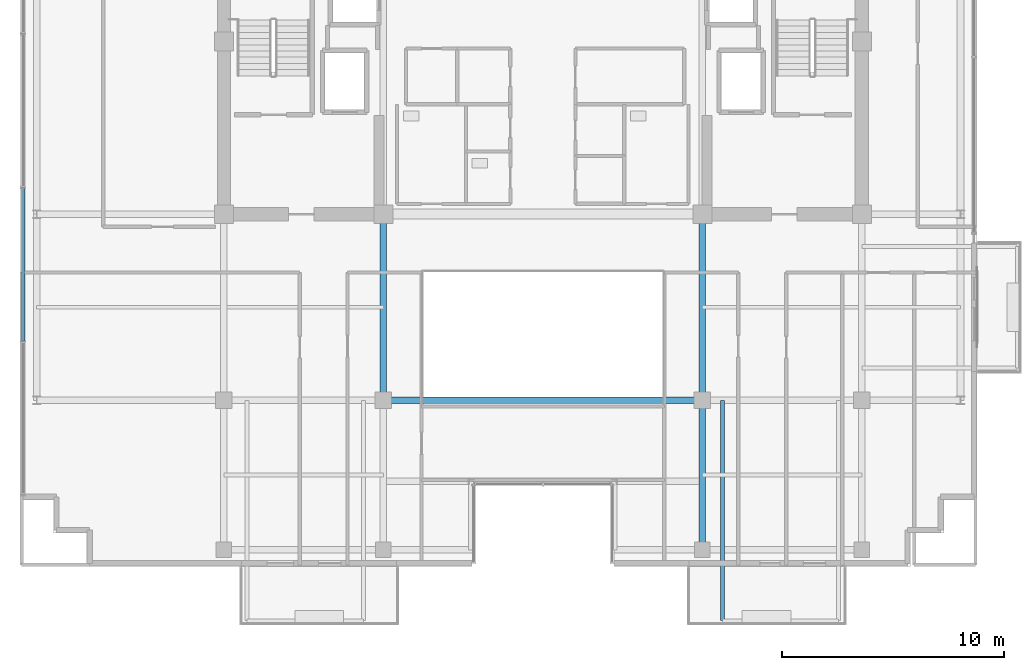
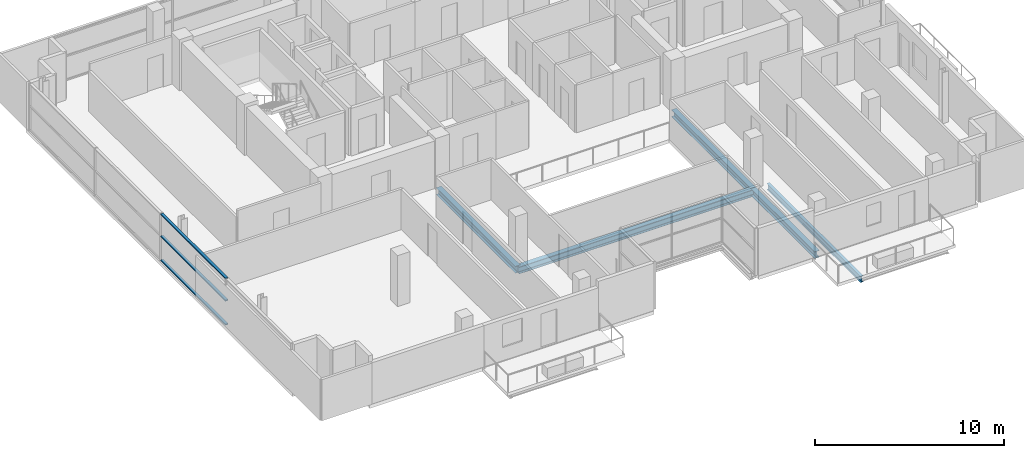
# One storey, part 8 of 22: 5 beams, 3 members, 1 element without a shape of its own.
"""IFC4 building model written with IfcOpenShell, lengths in metres."""

from ifc_helpers import new_model, si_unit, direction, frame, origin, origin_2d, place, context, subcontext, project, spatial, hollow_rectangle, i_section, extrude, source, transform, mapped, material, layer, layer_set, material_profile, profile_set, type_object, element, aggregate, save


model = new_model("IFC4")

# Units and contexts
model_context = context("Model", 3, precision=1e-05, world=origin(), true_north=direction((0.0, 1.0)))
body_context = subcontext(model_context, "Body", "Model", "MODEL_VIEW")
ifc_project = project(units=[si_unit("LENGTHUNIT", "METRE"), si_unit("AREAUNIT", "SQUARE_METRE"), si_unit("VOLUMEUNIT", "CUBIC_METRE"), si_unit("PLANEANGLEUNIT", "RADIAN"), si_unit("MASSUNIT", "GRAM", prefix="KILO")], contexts=[model_context])

# Site, building, storey
site_placement = place(None, origin())
site = spatial("IfcSite", under=ifc_project, at=site_placement, CompositionType="ELEMENT")
building_placement = place(site_placement, origin())
building = spatial("IfcBuilding", under=site, at=building_placement, Name="Zarnakvel Exchange Tower", CompositionType="ELEMENT")
storey_placement = place(building_placement, frame((0.0, 0.0, 225.39990234375)))
storey = spatial("IfcBuildingStorey", under=building, at=storey_placement, Name="L63", CompositionType="ELEMENT", Elevation=225.39990234375)

# Beams
ifc_material_1 = material(Name="Steel S355", Category="steel")
ifc_material_profile_1 = material_profile(ifc_material_1, i_section(OverallWidth=0.179931640625, OverallDepth=0.39990234375, WebThickness=0.008544921875, FlangeThickness=0.013427734375, FilletRadius=0.02099609375, at=origin_2d()))
ifc_profile_set_1 = profile_set([ifc_material_profile_1], Name="Steel S355")
beam_type_1 = type_object("IfcBeamType", Name="B-06", PredefinedType="JOIST", material=ifc_profile_set_1)
beam_1_placement = place(storey_placement, frame((8.10009765625, -9.60009765625, -0.4248046875), z_axis=(0.0, -1.0, 0.0), x_axis=(1.0, 0.0, 0.0)))
element("IfcBeam", 1, at=beam_1_placement, inside=storey, type_object=beam_type_1, Name="L63 Continuous Back-Spanned Balcony Beam W", PredefinedType="JOIST", context=body_context, shape_type="SweptSolid", body=[
    extrude(i_section(OverallWidth=0.179931640625, OverallDepth=0.39990234375, WebThickness=0.008544921875, FlangeThickness=0.013427734375, FilletRadius=0.02099609375, at=origin_2d()), origin(), (0.0, 0.0, 1.0), 9.949951171875),
])
ifc_material_profile_2 = material_profile(ifc_material_1, i_section(OverallWidth=0.300048828125, OverallDepth=0.449951171875, WebThickness=0.013916015625, FlangeThickness=0.02587890625, FilletRadius=0.027099609375, at=origin_2d()))
ifc_profile_set_2 = profile_set([ifc_material_profile_2], Name="Steel S355")
beam_type_2 = type_object("IfcBeamType", Name="G-07", PredefinedType="BEAM", material=ifc_profile_set_2)
beam_2_placement = place(storey_placement, frame((-7.199951171875, -9.60009765625, -0.449951171875), z_axis=(1.0, 0.0, 0.0), x_axis=(0.0, 1.0, 0.0)))
element("IfcBeam", 2, at=beam_2_placement, inside=storey, type_object=beam_type_2, Name="L63 Tower E-W Frame Beam", PredefinedType="BEAM", context=body_context, shape_type="SweptSolid", body=[
    extrude(i_section(OverallWidth=0.300048828125, OverallDepth=0.449951171875, WebThickness=0.013916015625, FlangeThickness=0.02587890625, FilletRadius=0.027099609375, at=origin_2d()), origin(), (0.0, 0.0, 1.0), 14.39990234375),
])
beam_3_placement = place(storey_placement, frame((-7.199951171875, -9.60009765625, -0.449951171875), z_axis=(0.0, 1.0, 0.0), x_axis=(-1.0, 0.0, 0.0)))
element("IfcBeam", 3, at=beam_3_placement, inside=storey, type_object=beam_type_2, Name="L63 Tower N-S Frame Beam", PredefinedType="BEAM", context=body_context, shape_type="SweptSolid", body=[
    extrude(i_section(OverallWidth=0.300048828125, OverallDepth=0.449951171875, WebThickness=0.013916015625, FlangeThickness=0.02587890625, FilletRadius=0.027099609375, at=origin_2d()), origin(), (0.0, 0.0, 1.0), 8.400146484375),
])
beam_4_placement = place(storey_placement, frame((7.199951171875, -16.35009765625, -0.449951171875), z_axis=(0.0, 1.0, 0.0), x_axis=(-1.0, 0.0, 0.0)))
element("IfcBeam", 4, at=beam_4_placement, inside=storey, type_object=beam_type_2, Name="L63 Tower N-S Frame Beam", PredefinedType="BEAM", context=body_context, shape_type="SweptSolid", body=[
    extrude(i_section(OverallWidth=0.300048828125, OverallDepth=0.449951171875, WebThickness=0.013916015625, FlangeThickness=0.02587890625, FilletRadius=0.027099609375, at=origin_2d()), origin(), (0.0, 0.0, 1.0), 6.75),
])
beam_5_placement = place(storey_placement, frame((7.199951171875, -9.60009765625, -0.449951171875), z_axis=(0.0, 1.0, 0.0), x_axis=(-1.0, 0.0, 0.0)))
element("IfcBeam", 5, at=beam_5_placement, inside=storey, type_object=beam_type_2, Name="L63 Tower N-S Frame Beam", PredefinedType="BEAM", context=body_context, shape_type="SweptSolid", body=[
    extrude(i_section(OverallWidth=0.300048828125, OverallDepth=0.449951171875, WebThickness=0.013916015625, FlangeThickness=0.02587890625, FilletRadius=0.027099609375, at=origin_2d()), origin(), (0.0, 0.0, 1.0), 8.400146484375),
])

# Curtain wall, members
ifc_material_2 = material(Name="Architectural Bronze Anodised Aluminium", Category="aluminium")
ifc_layer = layer(ifc_material_2, 0.199951171875)
ifc_layer_set = layer_set([ifc_layer], Name="Architectural Bronze Anodised Aluminium")
curtain_wall_type = type_object("IfcCurtainWallType", Name="CW-04", PredefinedType="NOTDEFINED", material=ifc_layer_set)
curtain_wall_placement = place(storey_placement, origin())
curtain_wall = element("IfcCurtainWall", 6, at=curtain_wall_placement, inside=storey, type_object=curtain_wall_type, Name="L63 Curtain Wall CW-L63-W1 (CW-04)", PredefinedType="NOTDEFINED")
ifc_material_profile_3 = material_profile(ifc_material_2, hollow_rectangle(XDim=0.159912109375, YDim=0.074951171875, WallThickness=0.00390625, at=origin_2d()))
ifc_profile_set_3 = profile_set([ifc_material_profile_3], Name="Architectural Bronze Anodised Aluminium")
member_type = type_object("IfcMemberType", Name="CWT-04", PredefinedType="USERDEFINED", material=ifc_profile_set_3)
shared_shape = source(origin(), body_context, "Body", "SweptSolid", [
    extrude(hollow_rectangle(XDim=0.159912109375, YDim=0.074951171875, WallThickness=0.00390625, at=origin_2d()), origin(), (0.0, 0.0, 1.0), 6.875),
])
member_1_placement = place(storey_placement, frame((-23.4599609375, -6.91259765625, 0.03759765625), z_axis=(0.0, 1.0, 0.0), x_axis=(-1.0, 0.0, 0.0)))
member_1 = element("IfcMember", 7, at=member_1_placement, type_object=member_type, Name="CW-04 transom 2.1", ObjectType="TRANSOM", PredefinedType="USERDEFINED", context=body_context, shape_type="MappedRepresentation", body=[
    mapped(shared_shape, transform((0.0, 0.0, 0.0), x_axis=(1.0, 0.0, 0.0), y_axis=(0.0, 1.0, 0.0), z_axis=(0.0, 0.0, 1.0), scale=1.0)),
])
member_2_placement = place(storey_placement, frame((-23.4599609375, -6.91259765625, 1.588623046875), z_axis=(0.0, 1.0, 0.0), x_axis=(-1.0, 0.0, 0.0)))
member_2 = element("IfcMember", 8, at=member_2_placement, type_object=member_type, Name="CW-04 transom 2.2", ObjectType="TRANSOM", PredefinedType="USERDEFINED", context=body_context, shape_type="MappedRepresentation", body=[
    mapped(shared_shape, transform((0.0, 0.0, 0.0), x_axis=(1.0, 0.0, 0.0), y_axis=(0.0, 1.0, 0.0), z_axis=(0.0, 0.0, 1.0), scale=1.0)),
])
member_3_placement = place(storey_placement, frame((-23.4599609375, -6.91259765625, 3.017578125), z_axis=(0.0, 1.0, 0.0), x_axis=(-1.0, 0.0, 0.0)))
member_3 = element("IfcMember", 9, at=member_3_placement, type_object=member_type, Name="CW-04 transom 2.3", ObjectType="TRANSOM", PredefinedType="USERDEFINED", context=body_context, shape_type="MappedRepresentation", body=[
    mapped(shared_shape, transform((0.0, 0.0, 0.0), x_axis=(1.0, 0.0, 0.0), y_axis=(0.0, 1.0, 0.0), z_axis=(0.0, 0.0, 1.0), scale=1.0)),
])
aggregate(curtain_wall, [member_1, member_2, member_3])

save(model, "model.ifc")
